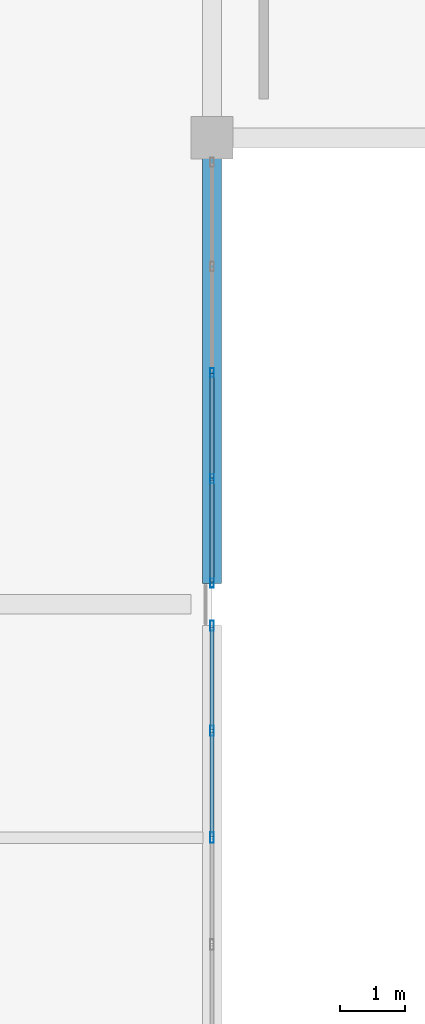
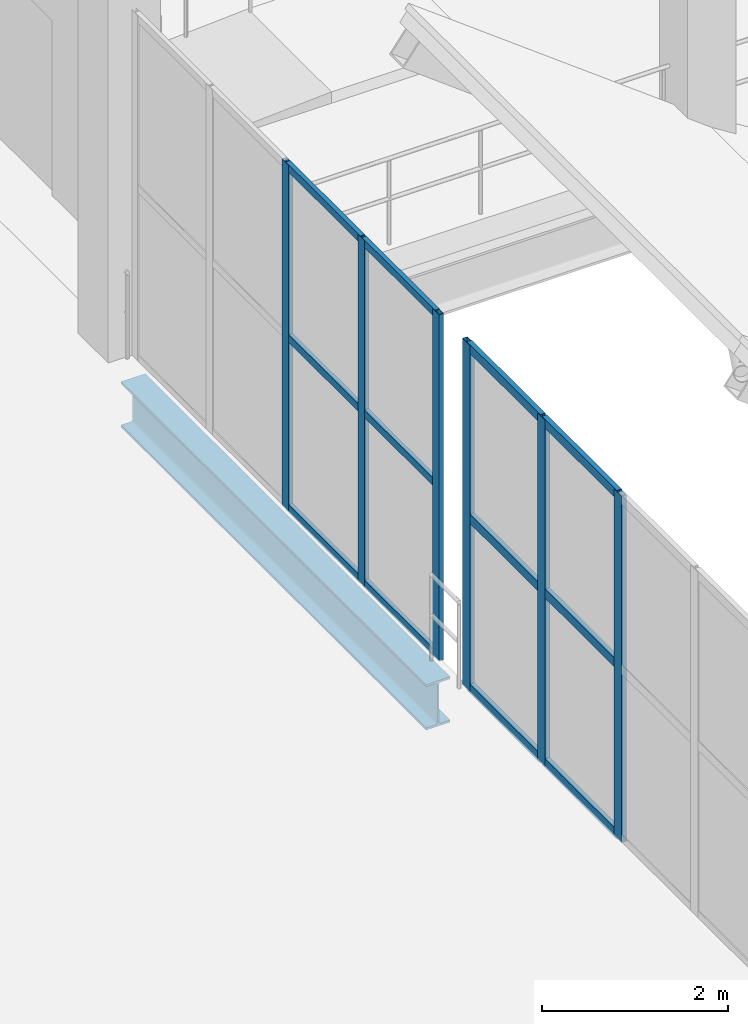
# One storey, part 30 of 105: 18 members, 1 beam, 2 elements without a shape of their own.
"""IFC4 building model written with IfcOpenShell, lengths in metres."""

from ifc_helpers import new_model, si_unit, direction, frame, origin, origin_2d, place, context, subcontext, project, spatial, hollow_rectangle, i_section, extrude, material, material_profile, profile_set, type_object, element, aggregate, save


model = new_model("IFC4")

# Units and contexts
model_context = context("Model", 3, precision=1e-05, world=origin(), true_north=direction((0.0, 1.0)))
body_context = subcontext(model_context, "Body", "Model", "MODEL_VIEW")
ifc_project = project(units=[si_unit("LENGTHUNIT", "METRE"), si_unit("AREAUNIT", "SQUARE_METRE"), si_unit("VOLUMEUNIT", "CUBIC_METRE"), si_unit("PLANEANGLEUNIT", "RADIAN"), si_unit("MASSUNIT", "GRAM", prefix="KILO")], contexts=[model_context])

# Site, building, storey
site_placement = place(None, origin())
site = spatial("IfcSite", under=ifc_project, at=site_placement, CompositionType="ELEMENT")
building_placement = place(site_placement, origin())
building = spatial("IfcBuilding", under=site, at=building_placement, Name="Qandorah Velis Arena", CompositionType="ELEMENT")
storey_placement = place(building_placement, frame((0.0, 0.0, 13.800048828125)))
storey = spatial("IfcBuildingStorey", under=building, at=storey_placement, Name="L03", CompositionType="ELEMENT", Elevation=13.800048828125)

# Curtain wall, members
ifc_material_1 = material(Name="Solar-control low-E double glazing", Category="glass")
curtain_wall_type_1 = type_object("IfcCurtainWallType", Name="ARC-CW-SYS04", PredefinedType="USERDEFINED", material=ifc_material_1)
curtain_wall_1_placement = place(storey_placement, origin())
curtain_wall_1 = element("IfcCurtainWall", 1, at=curtain_wall_1_placement, inside=storey, type_object=curtain_wall_type_1, Name="Unitised curtain wall L03-172", ObjectType="UNITISED CURTAIN WALL", PredefinedType="USERDEFINED")
ifc_material_2 = material(Name="Champagne-bronze anodized aluminium 6063-T6", Category="aluminium")
ifc_material_profile_1 = material_profile(ifc_material_2, hollow_rectangle(XDim=0.054931640625, YDim=0.139892578125, WallThickness=0.0029296875, at=origin_2d()), Name="ALU MULLION 55x140")
ifc_profile_set_1 = profile_set([ifc_material_profile_1], Name="Champagne-bronze anodized aluminium 6063-T6")
member_type_1 = type_object("IfcMemberType", Name="ARC-CWM-140", PredefinedType="MULLION", material=ifc_profile_set_1)
member_1_placement = place(storey_placement, frame((122.39990234375, 36.327392578125, -0.01513671875), z_axis=(0.0, 0.0, 1.0), x_axis=(-1.0, 0.0, 0.0)))
member_1 = element("IfcMember", 2, at=member_1_placement, type_object=member_type_1, Name="CW04 mullion 1", PredefinedType="MULLION", context=body_context, shape_type="SweptSolid", body=[
    extrude(hollow_rectangle(XDim=0.054931640625, YDim=0.139892578125, WallThickness=0.0029296875, at=origin_2d()), origin(), (0.0, 0.0, 1.0), 4.56005859375),
])
member_2_placement = place(storey_placement, frame((122.39990234375, 37.9375, -0.01513671875), z_axis=(0.0, 0.0, 1.0), x_axis=(-1.0, 0.0, 0.0)))
member_2 = element("IfcMember", 3, at=member_2_placement, type_object=member_type_1, Name="CW04 mullion 2", PredefinedType="MULLION", context=body_context, shape_type="SweptSolid", body=[
    extrude(hollow_rectangle(XDim=0.054931640625, YDim=0.139892578125, WallThickness=0.0029296875, at=origin_2d()), origin(), (0.0, 0.0, 1.0), 4.56005859375),
])
member_3_placement = place(storey_placement, frame((122.39990234375, 39.574951171875, -0.01513671875), z_axis=(0.0, 0.0, 1.0), x_axis=(-1.0, 0.0, 0.0)))
member_3 = element("IfcMember", 4, at=member_3_placement, type_object=member_type_1, Name="CW04 mullion 3", PredefinedType="MULLION", context=body_context, shape_type="SweptSolid", body=[
    extrude(hollow_rectangle(XDim=0.054931640625, YDim=0.139892578125, WallThickness=0.0029296875, at=origin_2d()), origin(), (0.0, 0.0, 1.0), 4.56005859375),
])

curtain_wall_type_2 = type_object("IfcCurtainWallType", Name="ARC-CW-SYS03", PredefinedType="USERDEFINED", material=ifc_material_1)
curtain_wall_2_placement = place(storey_placement, origin())
curtain_wall_2 = element("IfcCurtainWall", 5, at=curtain_wall_2_placement, inside=storey, type_object=curtain_wall_type_2, Name="Unitised curtain wall L03-171", ObjectType="UNITISED CURTAIN WALL", PredefinedType="USERDEFINED")
ifc_material_profile_2 = material_profile(ifc_material_2, hollow_rectangle(XDim=0.06005859375, YDim=0.159912109375, WallThickness=0.00341796875, at=origin_2d()), Name="ALU MULLION 60x160")
ifc_profile_set_2 = profile_set([ifc_material_profile_2], Name="Champagne-bronze anodized aluminium 6063-T6")
member_type_2 = type_object("IfcMemberType", Name="ARC-CWM-160", PredefinedType="MULLION", material=ifc_profile_set_2)
member_4_placement = place(storey_placement, frame((122.39990234375, 32.39990234375, -0.01513671875), z_axis=(0.0, 0.0, 1.0), x_axis=(-1.0, 0.0, 0.0)))
member_4 = element("IfcMember", 6, at=member_4_placement, type_object=member_type_2, Name="CW03 mullion 3", PredefinedType="MULLION", context=body_context, shape_type="SweptSolid", body=[
    extrude(hollow_rectangle(XDim=0.06005859375, YDim=0.159912109375, WallThickness=0.00341796875, at=origin_2d()), origin(), (0.0, 0.0, 1.0), 4.56005859375),
])
member_5_placement = place(storey_placement, frame((122.39990234375, 34.050048828125, -0.01513671875), z_axis=(0.0, 0.0, 1.0), x_axis=(-1.0, 0.0, 0.0)))
member_5 = element("IfcMember", 7, at=member_5_placement, type_object=member_type_2, Name="CW03 mullion 4", PredefinedType="MULLION", context=body_context, shape_type="SweptSolid", body=[
    extrude(hollow_rectangle(XDim=0.06005859375, YDim=0.159912109375, WallThickness=0.00341796875, at=origin_2d()), origin(), (0.0, 0.0, 1.0), 4.56005859375),
])
member_6_placement = place(storey_placement, frame((122.39990234375, 35.669921875, -0.01513671875), z_axis=(0.0, 0.0, 1.0), x_axis=(-1.0, 0.0, 0.0)))
member_6 = element("IfcMember", 8, at=member_6_placement, type_object=member_type_2, Name="CW03 mullion 5", PredefinedType="MULLION", context=body_context, shape_type="SweptSolid", body=[
    extrude(hollow_rectangle(XDim=0.06005859375, YDim=0.159912109375, WallThickness=0.00341796875, at=origin_2d()), origin(), (0.0, 0.0, 1.0), 4.56005859375),
])

# Member
ifc_material_profile_3 = material_profile(ifc_material_2, hollow_rectangle(XDim=0.054931640625, YDim=0.10009765625, WallThickness=0.0029296875, at=origin_2d()), Name="ALU TRANSOM 55x100")
ifc_profile_set_3 = profile_set([ifc_material_profile_3], Name="Champagne-bronze anodized aluminium 6063-T6")
member_type_3 = type_object("IfcMemberType", Name="ARC-CWT-100", PredefinedType="USERDEFINED", material=ifc_profile_set_3)
member_7_placement = place(storey_placement, frame((122.39990234375, 36.343017578125, 0.02734375), z_axis=(0.0, 1.0, 0.0), x_axis=(-1.0, 0.0, 0.0)))
member_7 = element("IfcMember", 9, at=member_7_placement, type_object=member_type_3, Name="CW04 transom 1.1", ObjectType="TRANSOM", PredefinedType="USERDEFINED", context=body_context, shape_type="SweptSolid", body=[
    extrude(hollow_rectangle(XDim=0.054931640625, YDim=0.10009765625, WallThickness=0.0029296875, at=origin_2d()), origin(), (0.0, 0.0, 1.0), 1.5791015625),
])

member_8_placement = place(storey_placement, frame((122.39990234375, 36.343017578125, 2.264892578125), z_axis=(0.0, 1.0, 0.0), x_axis=(-1.0, 0.0, 0.0)))
member_8 = element("IfcMember", 10, at=member_8_placement, type_object=member_type_3, Name="CW04 transom 1.2", ObjectType="TRANSOM", PredefinedType="USERDEFINED", context=body_context, shape_type="SweptSolid", body=[
    extrude(hollow_rectangle(XDim=0.054931640625, YDim=0.10009765625, WallThickness=0.0029296875, at=origin_2d()), origin(), (0.0, 0.0, 1.0), 1.5791015625),
])

member_9_placement = place(storey_placement, frame((122.39990234375, 36.343017578125, 4.50244140625), z_axis=(0.0, 1.0, 0.0), x_axis=(-1.0, 0.0, 0.0)))
member_9 = element("IfcMember", 11, at=member_9_placement, type_object=member_type_3, Name="CW04 transom 1.3", ObjectType="TRANSOM", PredefinedType="USERDEFINED", context=body_context, shape_type="SweptSolid", body=[
    extrude(hollow_rectangle(XDim=0.054931640625, YDim=0.10009765625, WallThickness=0.0029296875, at=origin_2d()), origin(), (0.0, 0.0, 1.0), 1.5791015625),
])

member_10_placement = place(storey_placement, frame((122.39990234375, 37.952880859375, 0.02734375), z_axis=(0.0, 1.0, 0.0), x_axis=(-1.0, 0.0, 0.0)))
member_10 = element("IfcMember", 12, at=member_10_placement, type_object=member_type_3, Name="CW04 transom 2.1", ObjectType="TRANSOM", PredefinedType="USERDEFINED", context=body_context, shape_type="SweptSolid", body=[
    extrude(hollow_rectangle(XDim=0.054931640625, YDim=0.10009765625, WallThickness=0.0029296875, at=origin_2d()), origin(), (0.0, 0.0, 1.0), 1.606689453125),
])

member_11_placement = place(storey_placement, frame((122.39990234375, 37.952880859375, 2.264892578125), z_axis=(0.0, 1.0, 0.0), x_axis=(-1.0, 0.0, 0.0)))
member_11 = element("IfcMember", 13, at=member_11_placement, type_object=member_type_3, Name="CW04 transom 2.2", ObjectType="TRANSOM", PredefinedType="USERDEFINED", context=body_context, shape_type="SweptSolid", body=[
    extrude(hollow_rectangle(XDim=0.054931640625, YDim=0.10009765625, WallThickness=0.0029296875, at=origin_2d()), origin(), (0.0, 0.0, 1.0), 1.606689453125),
])

member_12_placement = place(storey_placement, frame((122.39990234375, 37.952880859375, 4.50244140625), z_axis=(0.0, 1.0, 0.0), x_axis=(-1.0, 0.0, 0.0)))
member_12 = element("IfcMember", 14, at=member_12_placement, type_object=member_type_3, Name="CW04 transom 2.3", ObjectType="TRANSOM", PredefinedType="USERDEFINED", context=body_context, shape_type="SweptSolid", body=[
    extrude(hollow_rectangle(XDim=0.054931640625, YDim=0.10009765625, WallThickness=0.0029296875, at=origin_2d()), origin(), (0.0, 0.0, 1.0), 1.606689453125),
])

aggregate(curtain_wall_1, [member_1, member_2, member_3, member_7, member_8, member_9, member_10, member_11, member_12])

ifc_material_profile_4 = material_profile(ifc_material_2, hollow_rectangle(XDim=0.06005859375, YDim=0.1201171875, WallThickness=0.0029296875, at=origin_2d()), Name="ALU TRANSOM 60x120")
ifc_profile_set_4 = profile_set([ifc_material_profile_4], Name="Champagne-bronze anodized aluminium 6063-T6")
member_type_4 = type_object("IfcMemberType", Name="ARC-CWT-120", PredefinedType="USERDEFINED", material=ifc_profile_set_4)
member_13_placement = place(storey_placement, frame((122.39990234375, 32.41796875, 0.030029296875), z_axis=(0.0, 1.0, 0.0), x_axis=(-1.0, 0.0, 0.0)))
member_13 = element("IfcMember", 15, at=member_13_placement, type_object=member_type_4, Name="CW03 transom 3.1", ObjectType="TRANSOM", PredefinedType="USERDEFINED", context=body_context, shape_type="SweptSolid", body=[
    extrude(hollow_rectangle(XDim=0.06005859375, YDim=0.1201171875, WallThickness=0.0029296875, at=origin_2d()), origin(), (0.0, 0.0, 1.0), 1.614013671875),
])

member_14_placement = place(storey_placement, frame((122.39990234375, 32.41796875, 2.264892578125), z_axis=(0.0, 1.0, 0.0), x_axis=(-1.0, 0.0, 0.0)))
member_14 = element("IfcMember", 16, at=member_14_placement, type_object=member_type_4, Name="CW03 transom 3.2", ObjectType="TRANSOM", PredefinedType="USERDEFINED", context=body_context, shape_type="SweptSolid", body=[
    extrude(hollow_rectangle(XDim=0.06005859375, YDim=0.1201171875, WallThickness=0.0029296875, at=origin_2d()), origin(), (0.0, 0.0, 1.0), 1.614013671875),
])

member_15_placement = place(storey_placement, frame((122.39990234375, 32.41796875, 4.5), z_axis=(0.0, 1.0, 0.0), x_axis=(-1.0, 0.0, 0.0)))
member_15 = element("IfcMember", 17, at=member_15_placement, type_object=member_type_4, Name="CW03 transom 3.3", ObjectType="TRANSOM", PredefinedType="USERDEFINED", context=body_context, shape_type="SweptSolid", body=[
    extrude(hollow_rectangle(XDim=0.06005859375, YDim=0.1201171875, WallThickness=0.0029296875, at=origin_2d()), origin(), (0.0, 0.0, 1.0), 1.614013671875),
])

member_16_placement = place(storey_placement, frame((122.39990234375, 34.068115234375, 0.030029296875), z_axis=(0.0, 1.0, 0.0), x_axis=(-1.0, 0.0, 0.0)))
member_16 = element("IfcMember", 18, at=member_16_placement, type_object=member_type_4, Name="CW03 transom 4.1", ObjectType="TRANSOM", PredefinedType="USERDEFINED", context=body_context, shape_type="SweptSolid", body=[
    extrude(hollow_rectangle(XDim=0.06005859375, YDim=0.1201171875, WallThickness=0.0029296875, at=origin_2d()), origin(), (0.0, 0.0, 1.0), 1.583984375),
])

member_17_placement = place(storey_placement, frame((122.39990234375, 34.068115234375, 2.264892578125), z_axis=(0.0, 1.0, 0.0), x_axis=(-1.0, 0.0, 0.0)))
member_17 = element("IfcMember", 19, at=member_17_placement, type_object=member_type_4, Name="CW03 transom 4.2", ObjectType="TRANSOM", PredefinedType="USERDEFINED", context=body_context, shape_type="SweptSolid", body=[
    extrude(hollow_rectangle(XDim=0.06005859375, YDim=0.1201171875, WallThickness=0.0029296875, at=origin_2d()), origin(), (0.0, 0.0, 1.0), 1.583984375),
])

member_18_placement = place(storey_placement, frame((122.39990234375, 34.068115234375, 4.5), z_axis=(0.0, 1.0, 0.0), x_axis=(-1.0, 0.0, 0.0)))
member_18 = element("IfcMember", 20, at=member_18_placement, type_object=member_type_4, Name="CW03 transom 4.3", ObjectType="TRANSOM", PredefinedType="USERDEFINED", context=body_context, shape_type="SweptSolid", body=[
    extrude(hollow_rectangle(XDim=0.06005859375, YDim=0.1201171875, WallThickness=0.0029296875, at=origin_2d()), origin(), (0.0, 0.0, 1.0), 1.583984375),
])

aggregate(curtain_wall_2, [member_4, member_5, member_6, member_13, member_14, member_15, member_16, member_17, member_18])

# Beam
ifc_material_3 = material(Name="Steel S355", Category="steel")
ifc_material_profile_5 = material_profile(ifc_material_3, i_section(OverallWidth=0.300048828125, OverallDepth=0.60009765625, WebThickness=0.015380859375, FlangeThickness=0.030029296875, FilletRadius=0.027099609375, at=origin_2d()), Name="HEB 600")
ifc_profile_set_5 = profile_set([ifc_material_profile_5], Name="Steel S355")
beam_type = type_object("IfcBeamType", Name="STR-BM-HEB600", PredefinedType="BEAM", material=ifc_profile_set_5)
beam_placement = place(storey_placement, frame((122.39990234375, 36.324951171875, -0.6201171875), z_axis=(0.0, 1.0, 0.0), x_axis=(-1.0, 0.0, 0.0)))
element("IfcBeam", 21, at=beam_placement, inside=storey, type_object=beam_type, Name="Primary floor girder L03 Y-317", PredefinedType="BEAM", context=body_context, shape_type="SweptSolid", body=[
    extrude(i_section(OverallWidth=0.300048828125, OverallDepth=0.60009765625, WebThickness=0.015380859375, FlangeThickness=0.030029296875, FilletRadius=0.027099609375, at=origin_2d()), origin(), (0.0, 0.0, 1.0), 6.574951171875),
])

save(model, "model.ifc")
